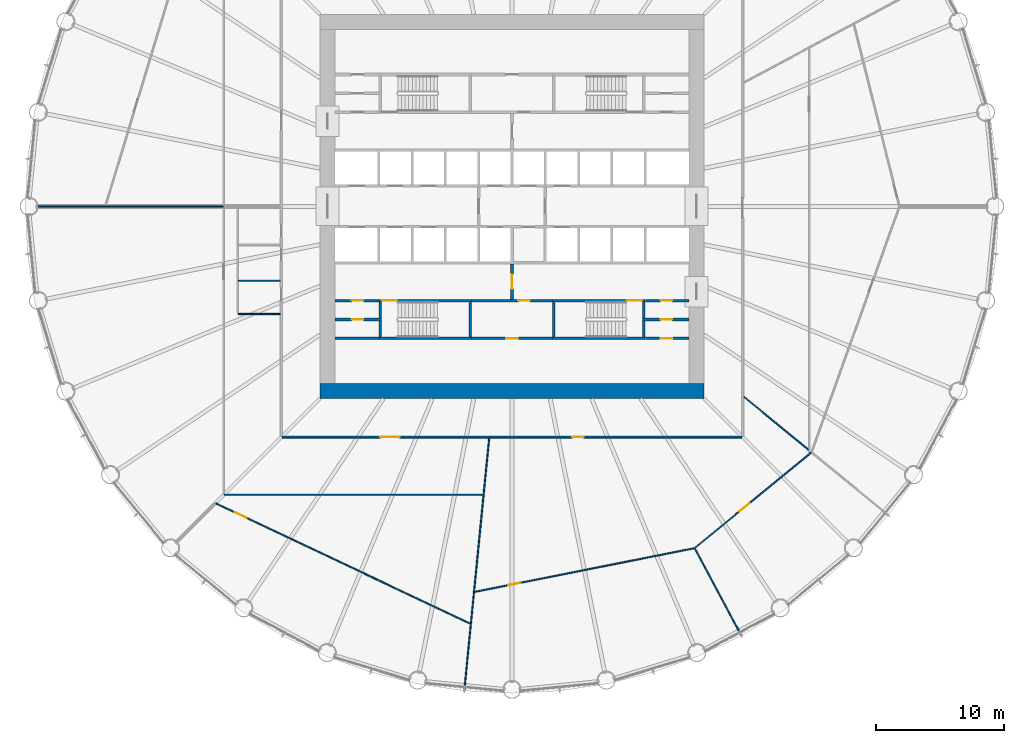
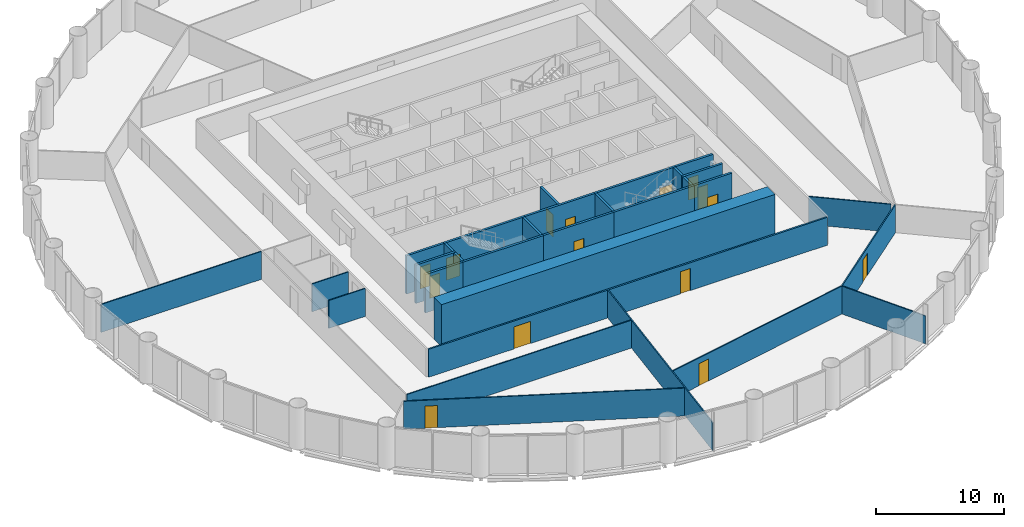
# One storey, part 10 of 14: 31 walls, 15 doors, 15 openings.
"""IFC4 building model written with IfcOpenShell, lengths in metres."""

from ifc_helpers import new_model, si_unit, direction, frame, frame_2d, origin, place, context, subcontext, project, spatial, polyline, rectangle, outline, extrude, material, layer, layer_set, type_object, element, fill, save


model = new_model("IFC4")

# Units and contexts
model_context = context("Model", 3, precision=1e-05, world=origin(), true_north=direction((0.0, 1.0)))
body_context = subcontext(model_context, "Body", "Model", "MODEL_VIEW")
ifc_project = project(units=[si_unit("LENGTHUNIT", "METRE"), si_unit("AREAUNIT", "SQUARE_METRE"), si_unit("VOLUMEUNIT", "CUBIC_METRE"), si_unit("PLANEANGLEUNIT", "RADIAN"), si_unit("MASSUNIT", "GRAM", prefix="KILO")], contexts=[model_context])

# Site, building, storey
site_placement = place(None, origin())
site = spatial("IfcSite", under=ifc_project, at=site_placement, CompositionType="ELEMENT")
building_placement = place(site_placement, origin())
building = spatial("IfcBuilding", under=site, at=building_placement, Name="Corvane Civic Tower", CompositionType="ELEMENT")
storey_placement = place(building_placement, frame((0.0, 0.0, 81.0)))
storey = spatial("IfcBuildingStorey", under=building, at=storey_placement, Name="L18", CompositionType="ELEMENT", Elevation=81.0)

# Wall
ifc_material_1 = material(Name="Concrete C80/95", Category="concrete")
ifc_layer_1 = layer(ifc_material_1, 1.199951171875)
ifc_layer_set_1 = layer_set([ifc_layer_1], Name="Concrete C80/95")
wall_type_1 = type_object("IfcWallType", Name="CORE WALL 1200 C80/95", PredefinedType="SHEAR", material=ifc_layer_set_1)
wall_1_placement = place(storey_placement, frame((-15.0, -14.39990234375, 0.0), z_axis=(0.0, 0.0, 1.0), x_axis=(1.0, 0.0, 0.0)))
element("IfcWall", 1, at=wall_1_placement, inside=storey, type_object=wall_type_1, Name="W-L18-core-S", PredefinedType="SHEAR", context=body_context, shape_type="SweptSolid", body=[
    extrude(rectangle(XDim=30.0, YDim=1.199951171875, at=frame_2d((15.0, 0.0))), origin(), (0.0, 0.0, 1.0), 4.0),
])

# Wall, opening, door
ifc_material_2 = material(Name="Concrete C30/37", Category="concrete")
ifc_layer_2 = layer(ifc_material_2, 0.199951171875)
ifc_layer_set_2 = layer_set([ifc_layer_2], Name="Concrete C30/37")
wall_type_2 = type_object("IfcWallType", Name="CR-WALL-200", PredefinedType="PARTITIONING", material=ifc_layer_set_2)
wall_2_placement = place(storey_placement, frame((-3.14990234375, -10.300048828125, 0.0), z_axis=(0.0, 0.0, 1.0), x_axis=(1.0, 0.0, 0.0)))
wall_2 = element("IfcWall", 2, at=wall_2_placement, inside=storey, type_object=wall_type_2, Name="L18 partition wall", PredefinedType="PARTITIONING", context=body_context, shape_type="SweptSolid", body=[
    extrude(rectangle(XDim=6.2998046875, YDim=0.199951171875, at=frame_2d((3.14990234375, 0.0))), origin(), (0.0, 0.0, 1.0), 3.64990234375),
])
opening_1_placement = place(wall_2_placement, frame((2.699951171875, 0.0, 0.0)))
opening_1 = element("IfcOpeningElement", 3, at=opening_1_placement, cuts=wall_2, Name="Opening L18.C05", PredefinedType="OPENING", context=body_context, shape_type="SweptSolid", body=[
    extrude(rectangle(XDim=0.89990234375, YDim=2.10009765625, at=frame_2d((0.449951171875, 1.050048828125))), frame((0.0, 0.10986328125, 0.0), z_axis=(0.0, -1.0, 0.0), x_axis=(1.0, 0.0, 0.0)), (0.0, 0.0, 1.0), 0.219970703125),
])
ifc_material_3 = material(Name="Steel fire door leaf", Category="steel")
door_type_1 = type_object("IfcDoorType", Name="CR-DOOR-900", OperationType="SINGLE_SWING_LEFT", PredefinedType="DOOR", material=ifc_material_3)
door_1_placement = place(opening_1_placement, origin())
door_1 = element("IfcDoor", 4, at=door_1_placement, inside=storey, type_object=door_type_1, Name="L18 door", OperationType="SINGLE_SWING_LEFT", OverallHeight=2.10009765625, OverallWidth=0.89990234375, PredefinedType="DOOR", context=body_context, shape_type="SweptSolid", body=[
    extrude(rectangle(XDim=0.89990234375, YDim=2.10009765625, at=frame_2d((0.449951171875, 1.050048828125))), frame((0.0, 0.02490234375, 0.0), z_axis=(0.0, -1.0, 0.0), x_axis=(1.0, 0.0, 0.0)), (0.0, 0.0, 1.0), 0.050048828125),
])
fill(opening_1, door_1)

wall_3_placement = place(storey_placement, frame((10.39990234375, -10.300048828125, 0.0), z_axis=(0.0, 0.0, 1.0), x_axis=(1.0, 0.0, 0.0)))
wall_3 = element("IfcWall", 5, at=wall_3_placement, inside=storey, type_object=wall_type_2, Name="L18 partition wall", PredefinedType="PARTITIONING", context=body_context, shape_type="SweptSolid", body=[
    extrude(rectangle(XDim=3.400146484375, YDim=0.199951171875, at=frame_2d((1.7001953125, 0.0))), origin(), (0.0, 0.0, 1.0), 3.64990234375),
])
opening_2_placement = place(wall_3_placement, frame((1.199951171875, 0.0, 0.0)))
opening_2 = element("IfcOpeningElement", 6, at=opening_2_placement, cuts=wall_3, Name="Opening L18.C15", PredefinedType="OPENING", context=body_context, shape_type="SweptSolid", body=[
    extrude(rectangle(XDim=0.89990234375, YDim=2.10009765625, at=frame_2d((0.449951171875, 1.050048828125))), frame((0.0, 0.10986328125, 0.0), z_axis=(0.0, -1.0, 0.0), x_axis=(1.0, 0.0, 0.0)), (0.0, 0.0, 1.0), 0.219970703125),
])
door_2_placement = place(opening_2_placement, origin())
door_2 = element("IfcDoor", 7, at=door_2_placement, inside=storey, type_object=door_type_1, Name="L18 door", OperationType="SINGLE_SWING_LEFT", OverallHeight=2.10009765625, OverallWidth=0.89990234375, PredefinedType="DOOR", context=body_context, shape_type="SweptSolid", body=[
    extrude(rectangle(XDim=0.89990234375, YDim=2.10009765625, at=frame_2d((0.449951171875, 1.050048828125))), frame((0.0, 0.02490234375, 0.0), z_axis=(0.0, -1.0, 0.0), x_axis=(1.0, 0.0, 0.0)), (0.0, 0.0, 1.0), 0.050048828125),
])
fill(opening_2, door_2)

wall_4_placement = place(storey_placement, frame((-13.800048828125, -8.824951171875, 0.0), z_axis=(0.0, 0.0, 1.0), x_axis=(1.0, 0.0, 0.0)))
wall_4 = element("IfcWall", 8, at=wall_4_placement, inside=storey, type_object=wall_type_2, Name="L18 partition wall", PredefinedType="PARTITIONING", context=body_context, shape_type="SweptSolid", body=[
    extrude(rectangle(XDim=3.60009765625, YDim=0.199951171875, at=frame_2d((1.800048828125, 0.0))), origin(), (0.0, 0.0, 1.0), 3.64990234375),
])
opening_3_placement = place(wall_4_placement, frame((1.300048828125, 0.0, 0.0)))
opening_3 = element("IfcOpeningElement", 9, at=opening_3_placement, cuts=wall_4, Name="Opening L18.C10", PredefinedType="OPENING", context=body_context, shape_type="SweptSolid", body=[
    extrude(rectangle(XDim=0.89990234375, YDim=2.10009765625, at=frame_2d((0.449951171875, 1.050048828125))), frame((0.0, 0.10986328125, 0.0), z_axis=(0.0, -1.0, 0.0), x_axis=(1.0, 0.0, 0.0)), (0.0, 0.0, 1.0), 0.219970703125),
])
door_3_placement = place(opening_3_placement, origin())
door_3 = element("IfcDoor", 10, at=door_3_placement, inside=storey, type_object=door_type_1, Name="L18 door", OperationType="SINGLE_SWING_LEFT", OverallHeight=2.10009765625, OverallWidth=0.89990234375, PredefinedType="DOOR", context=body_context, shape_type="SweptSolid", body=[
    extrude(rectangle(XDim=0.89990234375, YDim=2.10009765625, at=frame_2d((0.449951171875, 1.050048828125))), frame((0.0, 0.02490234375, 0.0), z_axis=(0.0, -1.0, 0.0), x_axis=(1.0, 0.0, 0.0)), (0.0, 0.0, 1.0), 0.050048828125),
])
fill(opening_3, door_3)

wall_5_placement = place(storey_placement, frame((10.199951171875, -8.824951171875, 0.0), z_axis=(0.0, 0.0, 1.0), x_axis=(1.0, 0.0, 0.0)))
wall_5 = element("IfcWall", 11, at=wall_5_placement, inside=storey, type_object=wall_type_2, Name="L18 partition wall", PredefinedType="PARTITIONING", context=body_context, shape_type="SweptSolid", body=[
    extrude(rectangle(XDim=3.60009765625, YDim=0.199951171875, at=frame_2d((1.800048828125, 0.0))), origin(), (0.0, 0.0, 1.0), 3.64990234375),
])
opening_4_placement = place(wall_5_placement, frame((1.39990234375, 0.0, 0.0)))
opening_4 = element("IfcOpeningElement", 12, at=opening_4_placement, cuts=wall_5, Name="Opening L18.C14", PredefinedType="OPENING", context=body_context, shape_type="SweptSolid", body=[
    extrude(rectangle(XDim=0.89990234375, YDim=2.10009765625, at=frame_2d((0.449951171875, 1.050048828125))), frame((0.0, 0.10986328125, 0.0), z_axis=(0.0, -1.0, 0.0), x_axis=(1.0, 0.0, 0.0)), (0.0, 0.0, 1.0), 0.219970703125),
])
door_4_placement = place(opening_4_placement, origin())
door_4 = element("IfcDoor", 13, at=door_4_placement, inside=storey, type_object=door_type_1, Name="L18 door", OperationType="SINGLE_SWING_LEFT", OverallHeight=2.10009765625, OverallWidth=0.89990234375, PredefinedType="DOOR", context=body_context, shape_type="SweptSolid", body=[
    extrude(rectangle(XDim=0.89990234375, YDim=2.10009765625, at=frame_2d((0.449951171875, 1.050048828125))), frame((0.0, 0.02490234375, 0.0), z_axis=(0.0, -1.0, 0.0), x_axis=(1.0, 0.0, 0.0)), (0.0, 0.0, 1.0), 0.050048828125),
])
fill(opening_4, door_4)

wall_6_placement = place(storey_placement, frame((-13.800048828125, -7.35009765625, 0.0), z_axis=(0.0, 0.0, 1.0), x_axis=(1.0, 0.0, 0.0)))
wall_6 = element("IfcWall", 14, at=wall_6_placement, inside=storey, type_object=wall_type_2, Name="L18 core partition wall", PredefinedType="PARTITIONING", context=body_context, shape_type="SweptSolid", body=[
    extrude(rectangle(XDim=3.400146484375, YDim=0.199951171875, at=frame_2d((1.7001953125, 0.0))), origin(), (0.0, 0.0, 1.0), 3.64990234375),
])
opening_5_placement = place(wall_6_placement, frame((1.300048828125, 0.0, 0.0)))
opening_5 = element("IfcOpeningElement", 15, at=opening_5_placement, cuts=wall_6, Name="Opening L18.C09", PredefinedType="OPENING", context=body_context, shape_type="SweptSolid", body=[
    extrude(rectangle(XDim=0.89990234375, YDim=2.10009765625, at=frame_2d((0.449951171875, 1.050048828125))), frame((0.0, 0.10986328125, 0.0), z_axis=(0.0, -1.0, 0.0), x_axis=(1.0, 0.0, 0.0)), (0.0, 0.0, 1.0), 0.219970703125),
])
door_5_placement = place(opening_5_placement, origin())
door_5 = element("IfcDoor", 16, at=door_5_placement, inside=storey, type_object=door_type_1, Name="L18 door", OperationType="SINGLE_SWING_LEFT", OverallHeight=2.10009765625, OverallWidth=0.89990234375, PredefinedType="DOOR", context=body_context, shape_type="SweptSolid", body=[
    extrude(rectangle(XDim=0.89990234375, YDim=2.10009765625, at=frame_2d((0.449951171875, 1.050048828125))), frame((0.0, 0.02490234375, 0.0), z_axis=(0.0, -1.0, 0.0), x_axis=(1.0, 0.0, 0.0)), (0.0, 0.0, 1.0), 0.050048828125),
])
fill(opening_5, door_5)

wall_7_placement = place(storey_placement, frame((-3.14990234375, -7.35009765625, 0.0), z_axis=(0.0, 0.0, 1.0), x_axis=(1.0, 0.0, 0.0)))
wall_7 = element("IfcWall", 17, at=wall_7_placement, inside=storey, type_object=wall_type_2, Name="L18 partition wall", PredefinedType="PARTITIONING", context=body_context, shape_type="SweptSolid", body=[
    extrude(rectangle(XDim=6.2998046875, YDim=0.199951171875, at=frame_2d((3.14990234375, 0.0))), origin(), (0.0, 0.0, 1.0), 3.64990234375),
])
opening_6_placement = place(wall_7_placement, frame((3.64990234375, 0.0, 0.0)))
opening_6 = element("IfcOpeningElement", 18, at=opening_6_placement, cuts=wall_7, Name="Opening L18.C03", PredefinedType="OPENING", context=body_context, shape_type="SweptSolid", body=[
    extrude(rectangle(XDim=0.89990234375, YDim=2.10009765625, at=frame_2d((0.449951171875, 1.050048828125))), frame((0.0, 0.10986328125, 0.0), z_axis=(0.0, -1.0, 0.0), x_axis=(1.0, 0.0, 0.0)), (0.0, 0.0, 1.0), 0.219970703125),
])
door_6_placement = place(opening_6_placement, origin())
door_6 = element("IfcDoor", 19, at=door_6_placement, inside=storey, type_object=door_type_1, Name="L18 door", OperationType="SINGLE_SWING_LEFT", OverallHeight=2.10009765625, OverallWidth=0.89990234375, PredefinedType="DOOR", context=body_context, shape_type="SweptSolid", body=[
    extrude(rectangle(XDim=0.89990234375, YDim=2.10009765625, at=frame_2d((0.449951171875, 1.050048828125))), frame((0.0, 0.02490234375, 0.0), z_axis=(0.0, -1.0, 0.0), x_axis=(1.0, 0.0, 0.0)), (0.0, 0.0, 1.0), 0.050048828125),
])
fill(opening_6, door_6)

wall_8_placement = place(storey_placement, frame((10.39990234375, -7.35009765625, 0.0), z_axis=(0.0, 0.0, 1.0), x_axis=(1.0, 0.0, 0.0)))
wall_8 = element("IfcWall", 20, at=wall_8_placement, inside=storey, type_object=wall_type_2, Name="L18 core partition wall", PredefinedType="PARTITIONING", context=body_context, shape_type="SweptSolid", body=[
    extrude(rectangle(XDim=3.400146484375, YDim=0.199951171875, at=frame_2d((1.7001953125, 0.0))), origin(), (0.0, 0.0, 1.0), 3.64990234375),
])
opening_7_placement = place(wall_8_placement, frame((1.199951171875, 0.0, 0.0)))
opening_7 = element("IfcOpeningElement", 21, at=opening_7_placement, cuts=wall_8, Name="Opening L18.C13", PredefinedType="OPENING", context=body_context, shape_type="SweptSolid", body=[
    extrude(rectangle(XDim=0.89990234375, YDim=2.10009765625, at=frame_2d((0.449951171875, 1.050048828125))), frame((0.0, 0.10986328125, 0.0), z_axis=(0.0, -1.0, 0.0), x_axis=(1.0, 0.0, 0.0)), (0.0, 0.0, 1.0), 0.219970703125),
])
door_7_placement = place(opening_7_placement, origin())
door_7 = element("IfcDoor", 22, at=door_7_placement, inside=storey, type_object=door_type_1, Name="L18 door", OperationType="SINGLE_SWING_LEFT", OverallHeight=2.10009765625, OverallWidth=0.89990234375, PredefinedType="DOOR", context=body_context, shape_type="SweptSolid", body=[
    extrude(rectangle(XDim=0.89990234375, YDim=2.10009765625, at=frame_2d((0.449951171875, 1.050048828125))), frame((0.0, 0.02490234375, 0.0), z_axis=(0.0, -1.0, 0.0), x_axis=(1.0, 0.0, 0.0)), (0.0, 0.0, 1.0), 0.050048828125),
])
fill(opening_7, door_7)

wall_9_placement = place(storey_placement, frame((0.0, -7.25, 0.0), z_axis=(0.0, 0.0, 1.0), x_axis=(0.0, 1.0, 0.0)))
wall_9 = element("IfcWall", 23, at=wall_9_placement, inside=storey, type_object=wall_type_2, Name="L18 core partition wall", PredefinedType="PARTITIONING", context=body_context, shape_type="SweptSolid", body=[
    extrude(rectangle(XDim=2.75, YDim=0.199951171875, at=frame_2d((1.375, 0.0))), origin(), (0.0, 0.0, 1.0), 3.64990234375),
])
opening_8_placement = place(wall_9_placement, frame((0.824951171875, 0.0, 0.0)))
opening_8 = element("IfcOpeningElement", 24, at=opening_8_placement, cuts=wall_9, Name="Opening L18.C23", PredefinedType="OPENING", context=body_context, shape_type="SweptSolid", body=[
    extrude(rectangle(XDim=1.10009765625, YDim=2.10009765625, at=frame_2d((0.550048828125, 1.050048828125))), frame((0.0, 0.10986328125, 0.0), z_axis=(0.0, -1.0, 0.0), x_axis=(1.0, 0.0, 0.0)), (0.0, 0.0, 1.0), 0.219970703125),
])
ifc_material_4 = material(Name="Steel fire door leaf", Category="steel")
door_type_2 = type_object("IfcDoorType", Name="CR-DOOR-FFL-1100", OperationType="SINGLE_SWING_LEFT", PredefinedType="DOOR", material=ifc_material_4)
door_8_placement = place(opening_8_placement, origin())
door_8 = element("IfcDoor", 25, at=door_8_placement, inside=storey, type_object=door_type_2, Name="L18 lobby door", OperationType="SINGLE_SWING_LEFT", OverallHeight=2.10009765625, OverallWidth=1.10009765625, PredefinedType="DOOR", context=body_context, shape_type="SweptSolid", body=[
    extrude(rectangle(XDim=1.10009765625, YDim=2.10009765625, at=frame_2d((0.550048828125, 1.050048828125))), frame((0.0, 0.02490234375, 0.0), z_axis=(0.0, -1.0, 0.0), x_axis=(1.0, 0.0, 0.0)), (0.0, 0.0, 1.0), 0.050048828125),
])
fill(opening_8, door_8)

# Walls
wall_10_placement = place(storey_placement, origin())
element("IfcWall", 26, at=wall_10_placement, inside=storey, type_object=wall_type_2, Name="L18 core partition wall", PredefinedType="PARTITIONING", context=body_context, shape_type="SweptSolid", body=[
    extrude(outline(polyline([(-10.39990234375, -10.39990234375), (-13.800048828125, -10.39990234375), (-13.800048828125, -10.199951171875), (-10.39990234375, -10.199951171875), (-10.39990234375, -10.39990234375)])), origin(), (0.0, 0.0, 1.0), 3.64990234375),
])
ifc_material_5 = material(Name="Plasterboard")
ifc_layer_3 = layer(ifc_material_5, 0.10009765625)
ifc_layer_set_3 = layer_set([ifc_layer_3], Name="Plasterboard")
wall_type_3 = type_object("IfcWallType", Name="Partition 100 plasterboard on studs", PredefinedType="PARTITIONING", material=ifc_layer_set_3)
wall_11_placement = place(storey_placement, frame((-3.7197265625, -37.767333984375, 0.0), z_axis=(0.0, 0.0, 1.0), x_axis=(0.098012901965, 0.995185144106, 0.0)))
element("IfcWall", 27, at=wall_11_placement, inside=storey, type_object=wall_type_3, Name="Partition L18.001", PredefinedType="PARTITIONING", context=body_context, shape_type="SweptSolid", body=[
    extrude(rectangle(XDim=19.78271484375, YDim=0.10009765625, at=frame_2d((9.891357421875, 0.0))), origin(), (0.0, 0.0, 1.0), 2.64990234375),
])
wall_12_placement = place(storey_placement, frame((14.27490234375, -26.706298828125, 0.0), z_axis=(0.0, 0.0, 1.0), x_axis=(0.471397765351, -0.88192071459, 0.0)))
element("IfcWall", 28, at=wall_12_placement, inside=storey, type_object=wall_type_3, Name="Partition L18.002", PredefinedType="PARTITIONING", context=body_context, shape_type="SweptSolid", body=[
    extrude(rectangle(XDim=7.668212890625, YDim=0.10009765625, at=frame_2d((3.833984375, 0.0))), origin(), (0.0, 0.0, 1.0), 2.64990234375),
])

# Wall, opening, door
wall_13_placement = place(storey_placement, frame((-23.12158203125, -23.168701171875, 0.0), z_axis=(0.0, 0.0, 1.0), x_axis=(0.903991946501, -0.427549483289, 0.0)))
wall_13 = element("IfcWall", 29, at=wall_13_placement, inside=storey, type_object=wall_type_3, Name="Partition L18.003", PredefinedType="PARTITIONING", context=body_context, shape_type="SweptSolid", body=[
    extrude(rectangle(XDim=21.955810546875, YDim=0.10009765625, at=frame_2d((10.97802734375, 0.0))), origin(), (0.0, 0.0, 1.0), 2.64990234375),
])
opening_9_placement = place(wall_13_placement, frame((1.65625, 0.0, 0.0)))
opening_9 = element("IfcOpeningElement", 30, at=opening_9_placement, cuts=wall_13, Name="Opening L18.010", PredefinedType="OPENING", context=body_context, shape_type="SweptSolid", body=[
    extrude(rectangle(XDim=1.0, YDim=2.10009765625, at=frame_2d((0.5, 1.050048828125))), frame((0.0, 0.06005859375, 0.0), z_axis=(0.0, -1.0, 0.0), x_axis=(1.0, 0.0, 0.0)), (0.0, 0.0, 1.0), 0.1201171875),
])
ifc_material_6 = material(Name="Timber", Category="wood")
door_type_3 = type_object("IfcDoorType", Name="Single door 1000", OperationType="NOTDEFINED", PredefinedType="DOOR", material=ifc_material_6)
door_9_placement = place(opening_9_placement, frame((1.0, 0.0, 0.0), z_axis=(0.0, 0.0, 1.0), x_axis=(-1.0, 0.0, 0.0)))
door_9 = element("IfcDoor", 31, at=door_9_placement, inside=storey, type_object=door_type_3, Name="Door L18.010", OperationType="SINGLE_SWING_LEFT", OverallHeight=2.10009765625, OverallWidth=1.0, PredefinedType="DOOR", context=body_context, shape_type="SweptSolid", body=[
    extrude(rectangle(XDim=1.0, YDim=2.10009765625, at=frame_2d((0.5, 1.050048828125))), frame((0.0, 0.02490234375, 0.0), z_axis=(0.0, -1.0, 0.0), x_axis=(1.0, 0.0, 0.0)), (0.0, 0.0, 1.0), 0.050048828125),
])
fill(opening_9, door_9)

wall_14_placement = place(storey_placement, frame((-2.89794921875, -30.08203125, 0.0), z_axis=(0.0, 0.0, 1.0), x_axis=(0.980785133157, 0.195091062273, 0.0)))
wall_14 = element("IfcWall", 32, at=wall_14_placement, inside=storey, type_object=wall_type_3, Name="Partition L18.004", PredefinedType="PARTITIONING", context=body_context, shape_type="SweptSolid", body=[
    extrude(rectangle(XDim=17.452392578125, YDim=0.10009765625, at=frame_2d((8.72607421875, 0.0))), origin(), (0.0, 0.0, 1.0), 2.64990234375),
])
opening_10_placement = place(wall_14_placement, frame((2.657958984375, 0.0, 0.0)))
opening_10 = element("IfcOpeningElement", 33, at=opening_10_placement, cuts=wall_14, Name="Opening L18.006", PredefinedType="OPENING", context=body_context, shape_type="SweptSolid", body=[
    extrude(rectangle(XDim=1.0, YDim=2.10009765625, at=frame_2d((0.5, 1.050048828125))), frame((0.0, 0.06005859375, 0.0), z_axis=(0.0, -1.0, 0.0), x_axis=(1.0, 0.0, 0.0)), (0.0, 0.0, 1.0), 0.1201171875),
])
door_10_placement = place(opening_10_placement, frame((1.0, 0.0, 0.0), z_axis=(0.0, 0.0, 1.0), x_axis=(-1.0, 0.0, 0.0)))
door_10 = element("IfcDoor", 34, at=door_10_placement, inside=storey, type_object=door_type_3, Name="Door L18.006", OperationType="SINGLE_SWING_RIGHT", OverallHeight=2.10009765625, OverallWidth=1.0, PredefinedType="DOOR", context=body_context, shape_type="SweptSolid", body=[
    extrude(rectangle(XDim=1.0, YDim=2.10009765625, at=frame_2d((0.5, 1.050048828125))), frame((0.0, 0.02490234375, 0.0), z_axis=(0.0, -1.0, 0.0), x_axis=(1.0, 0.0, 0.0)), (0.0, 0.0, 1.0), 0.050048828125),
])
fill(opening_10, door_10)

wall_15_placement = place(storey_placement, frame((14.287109375, -26.64404296875, 0.0), z_axis=(0.0, 0.0, 1.0), x_axis=(0.773012324641, 0.634391003998, 0.0)))
wall_15 = element("IfcWall", 35, at=wall_15_placement, inside=storey, type_object=wall_type_3, Name="Partition L18.005", PredefinedType="PARTITIONING", context=body_context, shape_type="SweptSolid", body=[
    extrude(rectangle(XDim=11.71728515625, YDim=0.10009765625, at=frame_2d((5.858642578125, 0.0))), origin(), (0.0, 0.0, 1.0), 2.64990234375),
])
opening_11_placement = place(wall_15_placement, frame((4.476806640625, 0.0, 0.0)))
opening_11 = element("IfcOpeningElement", 36, at=opening_11_placement, cuts=wall_15, Name="Opening L18.005", PredefinedType="OPENING", context=body_context, shape_type="SweptSolid", body=[
    extrude(rectangle(XDim=1.0, YDim=2.10009765625, at=frame_2d((0.5, 1.050048828125))), frame((0.0, 0.06005859375, 0.0), z_axis=(0.0, -1.0, 0.0), x_axis=(1.0, 0.0, 0.0)), (0.0, 0.0, 1.0), 0.1201171875),
])
door_11_placement = place(opening_11_placement, frame((1.0, 0.0, 0.0), z_axis=(0.0, 0.0, 1.0), x_axis=(-1.0, 0.0, 0.0)))
door_11 = element("IfcDoor", 37, at=door_11_placement, inside=storey, type_object=door_type_3, Name="Door L18.005", OperationType="SINGLE_SWING_LEFT", OverallHeight=2.10009765625, OverallWidth=1.0, PredefinedType="DOOR", context=body_context, shape_type="SweptSolid", body=[
    extrude(rectangle(XDim=1.0, YDim=2.10009765625, at=frame_2d((0.5, 1.050048828125))), frame((0.0, 0.02490234375, 0.0), z_axis=(0.0, -1.0, 0.0), x_axis=(1.0, 0.0, 0.0)), (0.0, 0.0, 1.0), 0.050048828125),
])
fill(opening_11, door_11)

# Walls
wall_16_placement = place(storey_placement, frame((-22.449951171875, -22.5, 0.0), z_axis=(0.0, 0.0, 1.0), x_axis=(1.0, 0.0, 0.0)))
element("IfcWall", 38, at=wall_16_placement, inside=storey, type_object=wall_type_3, Name="Partition L18.008", PredefinedType="PARTITIONING", context=body_context, shape_type="SweptSolid", body=[
    extrude(rectangle(XDim=20.1787109375, YDim=0.10009765625, at=frame_2d((10.08935546875, 0.0))), origin(), (0.0, 0.0, 1.0), 2.64990234375),
])
wall_17_placement = place(storey_placement, frame((18.106689453125, -14.85986328125, 0.0), z_axis=(0.0, 0.0, 1.0), x_axis=(0.77302696646, -0.634373162363, 0.0)))
element("IfcWall", 39, at=wall_17_placement, inside=storey, type_object=wall_type_3, Name="Partition L18.012", PredefinedType="PARTITIONING", context=body_context, shape_type="SweptSolid", body=[
    extrude(rectangle(XDim=6.483154296875, YDim=0.10009765625, at=frame_2d((3.24169921875, 0.0))), origin(), (0.0, 0.0, 1.0), 2.64990234375),
])
for number, where, z_axis, x_axis, name in (
    (40, (-21.35009765625, -8.39990234375, 0.0), (0.0, 0.0, 1.0), (1.0, 0.0, 0.0), "Partition L18.016"),
    (41, (-21.35009765625, -5.800048828125, 0.0), (0.0, 0.0, 1.0), (1.0, 0.0, 0.0), "Partition L18.018"),
):
    element("IfcWall", number, at=place(storey_placement, frame(where, z_axis=z_axis, x_axis=x_axis)), inside=storey, type_object=wall_type_3, Name=name, PredefinedType="PARTITIONING", context=body_context, shape_type="SweptSolid", body=[
        extrude(rectangle(XDim=3.275146484375, YDim=0.10009765625, at=frame_2d((1.6376953125, 0.0))), origin(), (0.0, 0.0, 1.0), 2.64990234375),
    ])
wall_18_placement = place(storey_placement, frame((-36.989990234375, 0.0, 0.0), z_axis=(0.0, 0.0, 1.0), x_axis=(1.0, 0.0, 0.0)))
element("IfcWall", 42, at=wall_18_placement, inside=storey, type_object=wall_type_3, Name="Partition L18.020", PredefinedType="PARTITIONING", context=body_context, shape_type="SweptSolid", body=[
    extrude(rectangle(XDim=14.43994140625, YDim=0.10009765625, at=frame_2d((7.219970703125, 0.0))), origin(), (0.0, 0.0, 1.0), 2.64990234375),
])

# Wall, opening, door
ifc_material_7 = material(Name="Concrete C50/60", Category="concrete")
ifc_layer_4 = layer(ifc_material_7, 0.199951171875)
ifc_layer_set_4 = layer_set([ifc_layer_4], Name="Concrete C50/60")
wall_type_4 = type_object("IfcWallType", Name="ST-WALL-200", PredefinedType="SHEAR", material=ifc_layer_set_4)
wall_19_placement = place(storey_placement, frame((-10.39990234375, -7.35009765625, 0.0), z_axis=(0.0, 0.0, 1.0), x_axis=(1.0, 0.0, 0.0)))
wall_19 = element("IfcWall", 43, at=wall_19_placement, inside=storey, type_object=wall_type_4, Name="L18 stair enclosure wall", PredefinedType="SHEAR", context=body_context, shape_type="SweptSolid", body=[
    extrude(rectangle(XDim=7.25, YDim=0.199951171875, at=frame_2d((3.625, 0.0))), origin(), (0.0, 0.0, 1.0), 3.64990234375),
])
opening_12_placement = place(wall_19_placement, frame((0.25, 0.0, 0.0)))
opening_12 = element("IfcOpeningElement", 44, at=opening_12_placement, cuts=wall_19, Name="Opening L18.C19", PredefinedType="OPENING", context=body_context, shape_type="SweptSolid", body=[
    extrude(rectangle(XDim=1.199951171875, YDim=2.10009765625, at=frame_2d((0.60009765625, 1.050048828125))), frame((0.0, 0.10986328125, 0.0), z_axis=(0.0, -1.0, 0.0), x_axis=(1.0, 0.0, 0.0)), (0.0, 0.0, 1.0), 0.219970703125),
])
ifc_material_8 = material(Name="Steel fire door leaf", Category="steel")
door_type_4 = type_object("IfcDoorType", Name="ST-DOOR-1200", OperationType="SINGLE_SWING_RIGHT", PredefinedType="DOOR", material=ifc_material_8)
door_12_placement = place(opening_12_placement, origin())
door_12 = element("IfcDoor", 45, at=door_12_placement, inside=storey, type_object=door_type_4, Name="L18 stair door", OperationType="SINGLE_SWING_RIGHT", OverallHeight=2.10009765625, OverallWidth=1.199951171875, PredefinedType="DOOR", context=body_context, shape_type="SweptSolid", body=[
    extrude(rectangle(XDim=1.199951171875, YDim=2.10009765625, at=frame_2d((0.60009765625, 1.050048828125))), frame((0.0, 0.02490234375, 0.0), z_axis=(0.0, -1.0, 0.0), x_axis=(1.0, 0.0, 0.0)), (0.0, 0.0, 1.0), 0.050048828125),
])
fill(opening_12, door_12)

wall_20_placement = place(storey_placement, frame((3.14990234375, -7.35009765625, 0.0), z_axis=(0.0, 0.0, 1.0), x_axis=(1.0, 0.0, 0.0)))
wall_20 = element("IfcWall", 46, at=wall_20_placement, inside=storey, type_object=wall_type_4, Name="L18 stair enclosure wall", PredefinedType="SHEAR", context=body_context, shape_type="SweptSolid", body=[
    extrude(rectangle(XDim=7.25, YDim=0.199951171875, at=frame_2d((3.625, 0.0))), origin(), (0.0, 0.0, 1.0), 3.64990234375),
])
opening_13_placement = place(wall_20_placement, frame((5.800048828125, 0.0, 0.0)))
opening_13 = element("IfcOpeningElement", 47, at=opening_13_placement, cuts=wall_20, Name="Opening L18.C18", PredefinedType="OPENING", context=body_context, shape_type="SweptSolid", body=[
    extrude(rectangle(XDim=1.199951171875, YDim=2.10009765625, at=frame_2d((0.60009765625, 1.050048828125))), frame((0.0, 0.10986328125, 0.0), z_axis=(0.0, -1.0, 0.0), x_axis=(1.0, 0.0, 0.0)), (0.0, 0.0, 1.0), 0.219970703125),
])
door_13_placement = place(opening_13_placement, origin())
door_13 = element("IfcDoor", 48, at=door_13_placement, inside=storey, type_object=door_type_4, Name="L18 stair door", OperationType="SINGLE_SWING_RIGHT", OverallHeight=2.10009765625, OverallWidth=1.199951171875, PredefinedType="DOOR", context=body_context, shape_type="SweptSolid", body=[
    extrude(rectangle(XDim=1.199951171875, YDim=2.10009765625, at=frame_2d((0.60009765625, 1.050048828125))), frame((0.0, 0.02490234375, 0.0), z_axis=(0.0, -1.0, 0.0), x_axis=(1.0, 0.0, 0.0)), (0.0, 0.0, 1.0), 0.050048828125),
])
fill(opening_13, door_13)

# Walls
wall_21_placement = place(storey_placement, origin())
element("IfcWall", 49, at=wall_21_placement, inside=storey, type_object=wall_type_4, Name="L18 stair enclosure wall", PredefinedType="SHEAR", context=body_context, shape_type="SweptSolid", body=[
    extrude(outline(polyline([(-3.14990234375, -10.199951171875), (-3.14990234375, -10.39990234375), (-10.39990234375, -10.39990234375), (-10.39990234375, -10.199951171875), (-3.14990234375, -10.199951171875)])), origin(), (0.0, 0.0, 1.0), 3.64990234375),
])
wall_22_placement = place(storey_placement, origin())
element("IfcWall", 50, at=wall_22_placement, inside=storey, type_object=wall_type_4, Name="L18 stair enclosure wall", PredefinedType="SHEAR", context=body_context, shape_type="SweptSolid", body=[
    extrude(outline(polyline([(10.39990234375, -10.39990234375), (3.14990234375, -10.39990234375), (3.14990234375, -10.199951171875), (10.39990234375, -10.199951171875), (10.39990234375, -10.39990234375)])), origin(), (0.0, 0.0, 1.0), 3.64990234375),
])
wall_23_placement = place(storey_placement, origin())
element("IfcWall", 51, at=wall_23_placement, inside=storey, type_object=wall_type_4, Name="L18 stair enclosure wall", PredefinedType="SHEAR", context=body_context, shape_type="SweptSolid", body=[
    extrude(outline(polyline([(-3.14990234375, -7.449951171875), (-3.14990234375, -10.199951171875), (-3.35009765625, -10.199951171875), (-3.35009765625, -7.449951171875), (-3.14990234375, -7.449951171875)])), origin(), (0.0, 0.0, 1.0), 3.64990234375),
])
wall_24_placement = place(storey_placement, origin())
element("IfcWall", 52, at=wall_24_placement, inside=storey, type_object=wall_type_4, Name="L18 stair enclosure wall", PredefinedType="SHEAR", context=body_context, shape_type="SweptSolid", body=[
    extrude(outline(polyline([(3.35009765625, -7.449951171875), (3.35009765625, -10.199951171875), (3.14990234375, -10.199951171875), (3.14990234375, -7.449951171875), (3.35009765625, -7.449951171875)])), origin(), (0.0, 0.0, 1.0), 3.64990234375),
])
wall_25_placement = place(storey_placement, origin())
element("IfcWall", 53, at=wall_25_placement, inside=storey, type_object=wall_type_4, Name="L18 stair enclosure wall", PredefinedType="SHEAR", context=body_context, shape_type="SweptSolid", body=[
    extrude(outline(polyline([(-10.199951171875, -7.449951171875), (-10.199951171875, -8.72509765625), (-10.39990234375, -8.72509765625), (-10.39990234375, -7.449951171875), (-10.199951171875, -7.449951171875)])), origin(), (0.0, 0.0, 1.0), 3.64990234375),
])
wall_26_placement = place(storey_placement, origin())
element("IfcWall", 54, at=wall_26_placement, inside=storey, type_object=wall_type_4, Name="L18 stair enclosure wall", PredefinedType="SHEAR", context=body_context, shape_type="SweptSolid", body=[
    extrude(outline(polyline([(10.39990234375, -7.449951171875), (10.39990234375, -8.72509765625), (10.199951171875, -8.72509765625), (10.199951171875, -7.449951171875), (10.39990234375, -7.449951171875)])), origin(), (0.0, 0.0, 1.0), 3.64990234375),
])
wall_27_placement = place(storey_placement, origin())
element("IfcWall", 55, at=wall_27_placement, inside=storey, type_object=wall_type_4, Name="L18 stair enclosure wall", PredefinedType="SHEAR", context=body_context, shape_type="SweptSolid", body=[
    extrude(outline(polyline([(-10.199951171875, -8.925048828125), (-10.199951171875, -10.199951171875), (-10.39990234375, -10.199951171875), (-10.39990234375, -8.925048828125), (-10.199951171875, -8.925048828125)])), origin(), (0.0, 0.0, 1.0), 3.64990234375),
])
wall_28_placement = place(storey_placement, origin())
element("IfcWall", 56, at=wall_28_placement, inside=storey, type_object=wall_type_4, Name="L18 stair enclosure wall", PredefinedType="SHEAR", context=body_context, shape_type="SweptSolid", body=[
    extrude(outline(polyline([(10.39990234375, -8.925048828125), (10.39990234375, -10.199951171875), (10.199951171875, -10.199951171875), (10.199951171875, -8.925048828125), (10.39990234375, -8.925048828125)])), origin(), (0.0, 0.0, 1.0), 3.64990234375),
])

# Wall, openings, doors
ifc_material_9 = material(Name="Plasterboard")
ifc_layer_5 = layer(ifc_material_9, 0.14990234375)
ifc_layer_set_5 = layer_set([ifc_layer_5], Name="Plasterboard")
wall_type_5 = type_object("IfcWallType", Name="Tenancy wall 150 EI 60", PredefinedType="PARTITIONING", material=ifc_layer_set_5)
wall_29_placement = place(storey_placement, frame((-17.925048828125, -18.0, 0.0), z_axis=(0.0, 0.0, 1.0), x_axis=(1.0, 0.0, 0.0)))
wall_29 = element("IfcWall", 57, at=wall_29_placement, inside=storey, type_object=wall_type_5, Name="Partition L18.013", PredefinedType="PARTITIONING", context=body_context, shape_type="SweptSolid", body=[
    extrude(rectangle(XDim=35.85009765625, YDim=0.14990234375, at=frame_2d((17.925048828125, 0.0))), origin(), (0.0, 0.0, 1.0), 2.64990234375),
])
opening_14_placement = place(wall_29_placement, frame((22.639892578125, 0.0, 0.0)))
opening_14 = element("IfcOpeningElement", 58, at=opening_14_placement, cuts=wall_29, Name="Opening L18.009", PredefinedType="OPENING", context=body_context, shape_type="SweptSolid", body=[
    extrude(rectangle(XDim=0.89990234375, YDim=2.10009765625, at=frame_2d((0.449951171875, 1.050048828125))), frame((0.0, 0.0849609375, 0.0), z_axis=(0.0, -1.0, 0.0), x_axis=(1.0, 0.0, 0.0)), (0.0, 0.0, 1.0), 0.169921875),
])
opening_15_placement = place(wall_29_placement, frame((7.6611328125, 0.0, 0.0)))
opening_15 = element("IfcOpeningElement", 59, at=opening_15_placement, cuts=wall_29, Name="Opening L18.012", PredefinedType="OPENING", context=body_context, shape_type="SweptSolid", body=[
    extrude(rectangle(XDim=1.5, YDim=2.10009765625, at=frame_2d((0.75, 1.050048828125))), frame((0.0, 0.0849609375, 0.0), z_axis=(0.0, -1.0, 0.0), x_axis=(1.0, 0.0, 0.0)), (0.0, 0.0, 1.0), 0.169921875),
])
ifc_material_10 = material(Name="Steel and timber", Category="steel")
door_type_5 = type_object("IfcDoorType", Name="Fire door FD30S 900", OperationType="NOTDEFINED", PredefinedType="DOOR", material=ifc_material_10)
door_14_placement = place(opening_14_placement, frame((0.89990234375, 0.0, 0.0), z_axis=(0.0, 0.0, 1.0), x_axis=(-1.0, 0.0, 0.0)))
door_14 = element("IfcDoor", 60, at=door_14_placement, inside=storey, type_object=door_type_5, Name="Door L18.009", OperationType="SINGLE_SWING_RIGHT", OverallHeight=2.10009765625, OverallWidth=0.89990234375, PredefinedType="DOOR", context=body_context, shape_type="SweptSolid", body=[
    extrude(rectangle(XDim=0.89990234375, YDim=2.10009765625, at=frame_2d((0.449951171875, 1.050048828125))), frame((0.0, 0.02490234375, 0.0), z_axis=(0.0, -1.0, 0.0), x_axis=(1.0, 0.0, 0.0)), (0.0, 0.0, 1.0), 0.050048828125),
])
fill(opening_14, door_14)
ifc_material_11 = material(Name="Steel and timber", Category="steel")
door_type_6 = type_object("IfcDoorType", Name="Fire door FD60 double 1500", OperationType="NOTDEFINED", PredefinedType="DOOR", material=ifc_material_11)
door_15_placement = place(opening_15_placement, frame((1.5, 0.0, 0.0), z_axis=(0.0, 0.0, 1.0), x_axis=(-1.0, 0.0, 0.0)))
door_15 = element("IfcDoor", 61, at=door_15_placement, inside=storey, type_object=door_type_6, Name="Door L18.012", OperationType="DOUBLE_DOOR_SINGLE_SWING", OverallHeight=2.10009765625, OverallWidth=1.5, PredefinedType="DOOR", context=body_context, shape_type="SweptSolid", body=[
    extrude(rectangle(XDim=1.5, YDim=2.10009765625, at=frame_2d((0.75, 1.050048828125))), frame((0.0, 0.02490234375, 0.0), z_axis=(0.0, -1.0, 0.0), x_axis=(1.0, 0.0, 0.0)), (0.0, 0.0, 1.0), 0.050048828125),
])
fill(opening_15, door_15)

save(model, "model.ifc")
